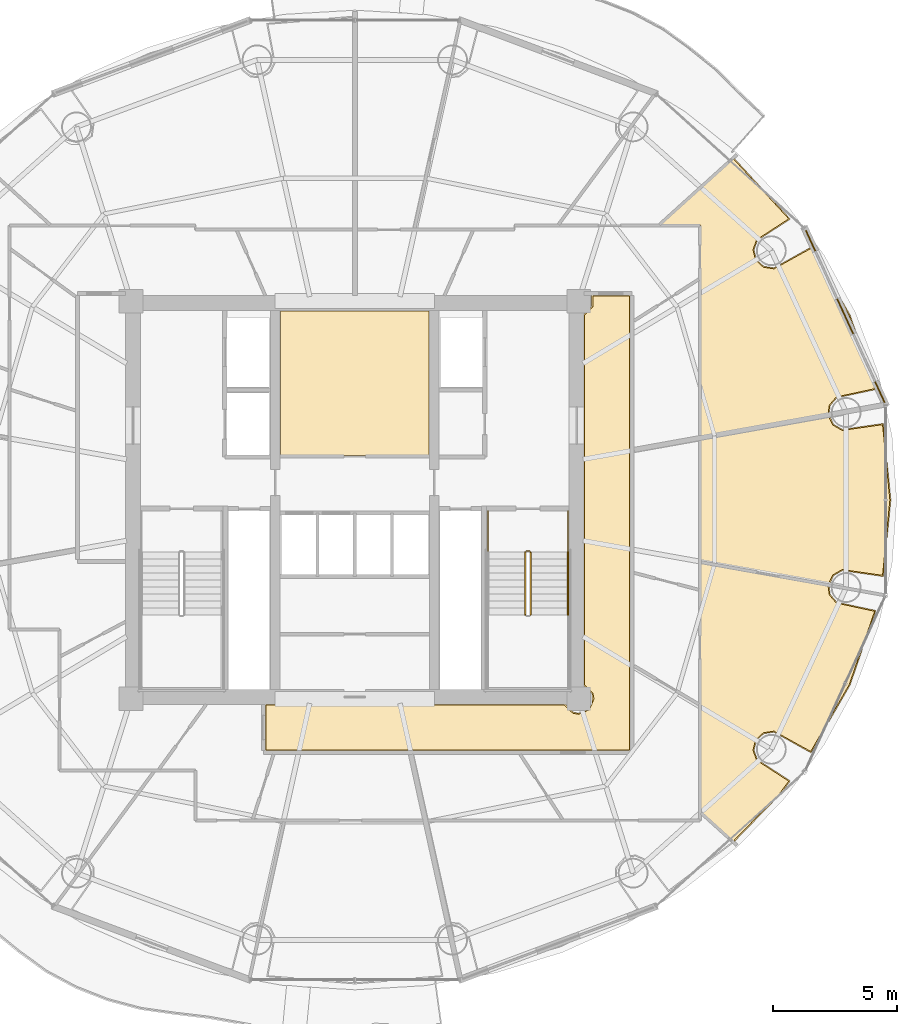
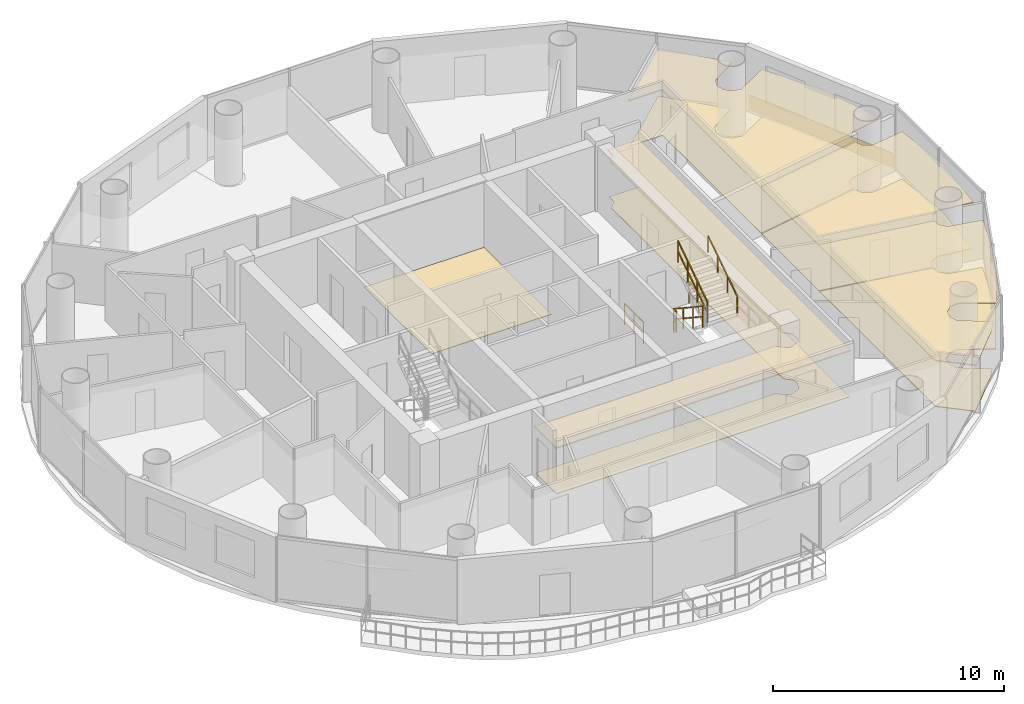
# One storey, part 26 of 27: 10 coverings, 6 railings.
"""IFC4 building model written with IfcOpenShell, lengths in metres."""

from ifc_helpers import new_model, si_unit, direction, frame, origin, origin_2d, place, context, subcontext, project, spatial, polyline, rectangle, outline, extrude, source, transform, mapped, material, layer, layer_set, type_object, element, save


model = new_model("IFC4")

# Units and contexts
model_context = context("Model", 3, precision=1e-05, world=origin(), true_north=direction((-0.2419218956, 0.970295726276)))
body_context = subcontext(model_context, "Body", "Model", "MODEL_VIEW")
ifc_project = project(units=[si_unit("LENGTHUNIT", "METRE"), si_unit("AREAUNIT", "SQUARE_METRE"), si_unit("VOLUMEUNIT", "CUBIC_METRE"), si_unit("PLANEANGLEUNIT", "RADIAN"), si_unit("MASSUNIT", "GRAM", prefix="KILO")], contexts=[model_context])

# Site, building, storey
site_placement = place(None, origin())
site = spatial("IfcSite", under=ifc_project, at=site_placement, CompositionType="ELEMENT")
building_placement = place(site_placement, origin())
building = spatial("IfcBuilding", under=site, at=building_placement, Name="Cobrevalo Terracotta Tower", CompositionType="ELEMENT")
storey_placement = place(building_placement, frame((0.0, 0.0, 191.199951171875)))
storey = spatial("IfcBuildingStorey", under=building, at=storey_placement, Name="L50", CompositionType="ELEMENT", Elevation=191.199951171875)

# Coverings
ifc_material_1 = material(Name="Engineered Brazilian hardwood flooring", Category="wood")
ifc_layer_1 = layer(ifc_material_1, 0.028076171875)
ifc_layer_set_1 = layer_set([ifc_layer_1], Name="Engineered Brazilian hardwood flooring")
covering_type_1 = type_object("IfcCoveringType", Name="Engineered Hardwood Suite Flooring 28", PredefinedType="FLOORING", material=ifc_layer_set_1)
covering_1_placement = place(storey_placement, origin())
element("IfcCovering", 1, at=covering_1_placement, inside=storey, type_object=covering_type_1, Name="Flat L50A Living and Dining Room floor finish", PredefinedType="FLOORING", context=body_context, shape_type="SweptSolid", body=[
    extrude(outline(polyline([(53.220947265625, 40.52783203125), (55.453125, 38.10888671875), (54.159912109375, 37.269287109375), (54.014892578125, 36.86474609375), (54.119140625, 36.447998046875), (54.437255859375, 36.1591796875), (54.8623046875, 36.095947265625), (56.337890625, 36.91357421875), (57.882080078125, 34.23095703125), (58.90771484375, 31.277099609375), (57.364013671875, 30.94482421875), (57.0849609375, 30.6181640625), (57.0302734375, 30.240966796875), (51.905029296875, 29.31982421875), (51.905029296875, 37.85498046875), (50.26318359375, 37.85498046875), (53.220947265625, 40.52783203125)])), origin(), (0.0, 0.0, 1.0), 0.030029296875),
])
covering_2_placement = place(storey_placement, origin())
element("IfcCovering", 2, at=covering_2_placement, inside=storey, type_object=covering_type_1, Name="Flat L50D Master Bedroom floor finish", PredefinedType="FLOORING", context=body_context, shape_type="SweptSolid", body=[
    extrude(outline(polyline([(51.905029296875, 14.261474609375), (51.905029296875, 24.2802734375), (57.0302734375, 23.35888671875), (57.0849609375, 22.981689453125), (57.364013671875, 22.655029296875), (58.90771484375, 22.322998046875), (57.882080078125, 19.368896484375), (56.337890625, 16.6865234375), (54.8623046875, 17.504150390625), (54.437255859375, 17.44091796875), (54.119140625, 17.152099609375), (54.014892578125, 16.735107421875), (54.159912109375, 16.330810546875), (55.453125, 15.4912109375), (55.073486328125, 14.978759765625), (53.220947265625, 13.072265625), (51.905029296875, 14.261474609375)])), origin(), (0.0, 0.0, 1.0), 0.030029296875),
])
covering_3_placement = place(storey_placement, origin())
element("IfcCovering", 3, at=covering_3_placement, inside=storey, type_object=covering_type_1, Name="Flat L50D Principal Guest Bedroom floor finish", PredefinedType="FLOORING", context=body_context, shape_type="SweptSolid", body=[
    extrude(outline(polyline([(57.03662109375, 30.20166015625), (57.229248046875, 29.80859375), (57.60400390625, 29.5986328125), (59.2265625, 29.83056640625), (59.52001953125, 26.800048828125), (59.2265625, 23.76953125), (57.60400390625, 24.00146484375), (57.229248046875, 23.791259765625), (57.03662109375, 23.3984375), (51.905029296875, 24.32080078125), (51.905029296875, 29.279052734375), (57.03662109375, 30.20166015625)])), origin(), (0.0, 0.0, 1.0), 0.030029296875),
])
ifc_material_2 = material(Name="Honed terracotta and granite tile", Category="masonry")
ifc_layer_2 = layer(ifc_material_2, 0.034912109375)
ifc_layer_set_2 = layer_set([ifc_layer_2], Name="Honed terracotta and granite tile")
covering_type_2 = type_object("IfcCoveringType", Name="Honed Terracotta & Granite Interior Flooring 35", PredefinedType="FLOORING", material=ifc_layer_set_2)
covering_4_placement = place(storey_placement, origin())
element("IfcCovering", 4, at=covering_4_placement, inside=storey, type_object=covering_type_2, Name="Floor Electrical Switchroom floor finish", PredefinedType="FLOORING", context=body_context, shape_type="SweptSolid", body=[
    extrude(outline(polyline([(35.010009765625, 34.405029296875), (40.989990234375, 34.405029296875), (40.989990234375, 28.580078125), (35.010009765625, 28.580078125), (35.010009765625, 34.405029296875)])), origin(), (0.0, 0.0, 1.0), 0.030029296875),
])
covering_5_placement = place(storey_placement, origin())
element("IfcCovering", 5, at=covering_5_placement, inside=storey, type_object=covering_type_2, Name="L50 Residential Floor Corridor 1 floor finish", PredefinedType="FLOORING", context=body_context, shape_type="SweptSolid", body=[
    extrude(outline(polyline([(34.419921875, 18.554931640625), (46.431884765625, 18.554931640625), (46.7626953125, 18.226806640625), (47.0, 18.1796875), (47.438720703125, 18.361328125), (47.620361328125, 18.800048828125), (47.5732421875, 19.037353515625), (47.2451171875, 19.3681640625), (47.2451171875, 34.23193359375), (47.5732421875, 34.5625), (47.57958984375, 35.0048828125), (49.054931640625, 35.0048828125), (49.054931640625, 16.7451171875), (34.419921875, 16.7451171875), (34.419921875, 18.554931640625)])), origin(), (0.0, 0.0, 1.0), 0.030029296875),
])
ifc_material_3 = material(Name="Acoustic perforated gypsum ceiling", Category="gypsum")
ifc_layer_3 = layer(ifc_material_3, 0.050048828125)
ifc_layer_set_3 = layer_set([ifc_layer_3], Name="Acoustic perforated gypsum ceiling")
covering_type_3 = type_object("IfcCoveringType", Name="Perforated Acoustic Gypsum Ceiling 50", PredefinedType="CEILING", material=ifc_layer_set_3)
covering_6_placement = place(storey_placement, frame((0.0, 0.0, 2.445068359375)))
element("IfcCovering", 6, at=covering_6_placement, inside=storey, type_object=covering_type_3, Name="L50 Residential Floor Corridor 1 acoustic ceiling", PredefinedType="CEILING", context=body_context, shape_type="SweptSolid", body=[
    extrude(outline(polyline([(34.375, 18.60009765625), (46.4560546875, 18.60009765625), (46.780029296875, 18.269287109375), (47.0, 18.2255859375), (47.40625, 18.393798828125), (47.53076171875, 18.580078125), (47.53076171875, 19.019775390625), (47.199951171875, 19.343994140625), (47.199951171875, 34.255859375), (47.53076171875, 34.580078125), (47.524658203125, 35.050048828125), (49.10009765625, 35.050048828125), (49.10009765625, 16.699951171875), (34.375, 16.699951171875), (34.375, 18.60009765625)])), origin(), (0.0, 0.0, 1.0), 0.050048828125),
])
covering_7_placement = place(storey_placement, frame((0.0, 0.0, 2.445068359375)))
element("IfcCovering", 7, at=covering_7_placement, inside=storey, type_object=covering_type_3, Name="Flat L50A Living and Dining Room acoustic ceiling", PredefinedType="CEILING", context=body_context, shape_type="SweptSolid", body=[
    extrude(outline(polyline([(53.22314453125, 40.59033203125), (55.518798828125, 38.095703125), (54.1962890625, 37.242431640625), (54.06005859375, 36.862548828125), (54.157958984375, 36.47119140625), (54.45654296875, 36.199951171875), (54.855712890625, 36.140625), (56.349853515625, 36.97314453125), (57.923095703125, 34.249755859375), (58.961669921875, 31.240966796875), (57.388427734375, 30.90673828125), (57.126220703125, 30.60009765625), (57.078369140625, 30.203857421875), (51.860107421875, 29.265869140625), (51.860107421875, 37.81005859375), (50.146484375, 37.81005859375), (53.22314453125, 40.59033203125)])), origin(), (0.0, 0.0, 1.0), 0.050048828125),
])
covering_8_placement = place(storey_placement, frame((0.0, 0.0, 2.445068359375)))
element("IfcCovering", 8, at=covering_8_placement, inside=storey, type_object=covering_type_3, Name="Flat L50D Master Bedroom acoustic ceiling", PredefinedType="CEILING", context=body_context, shape_type="SweptSolid", body=[
    extrude(outline(polyline([(51.860107421875, 14.241455078125), (51.860107421875, 24.333984375), (57.078369140625, 23.39599609375), (57.126220703125, 23.0), (57.388427734375, 22.693359375), (58.961669921875, 22.359130859375), (57.923095703125, 19.35009765625), (56.349853515625, 16.626953125), (54.855712890625, 17.45947265625), (54.45654296875, 17.39990234375), (54.157958984375, 17.12890625), (54.06005859375, 16.737548828125), (54.1962890625, 16.357666015625), (55.518798828125, 15.50439453125), (55.10791015625, 14.949462890625), (53.22314453125, 13.009765625), (51.860107421875, 14.241455078125)])), origin(), (0.0, 0.0, 1.0), 0.050048828125),
])
covering_9_placement = place(storey_placement, frame((0.0, 0.0, 2.445068359375)))
element("IfcCovering", 9, at=covering_9_placement, inside=storey, type_object=covering_type_3, Name="Flat L50D Principal Guest Bedroom acoustic ceiling", PredefinedType="CEILING", context=body_context, shape_type="SweptSolid", body=[
    extrude(outline(polyline([(57.0703125, 30.25341796875), (57.26171875, 29.83984375), (57.613525390625, 29.642578125), (59.26123046875, 29.88232421875), (59.565185546875, 26.800048828125), (59.26123046875, 23.717529296875), (57.613525390625, 23.957275390625), (57.26171875, 23.760009765625), (57.0703125, 23.3466796875), (51.860107421875, 24.283203125), (51.860107421875, 29.316650390625), (57.0703125, 30.25341796875)])), origin(), (0.0, 0.0, 1.0), 0.050048828125),
])

# Railings
ifc_material_4 = material(Name="Brushed stainless steel", Category="steel")
railing_type_1 = type_object("IfcRailingType", Name="Stainless Steel Stair Handrail 900", PredefinedType="HANDRAIL", material=ifc_material_4)
railing_1_placement = place(storey_placement, frame((46.574951171875, 22.179931640625, 2.03515625)))
element("IfcRailing", 10, at=railing_1_placement, inside=storey, type_object=railing_type_1, Name="L50 ST-2 stair handrail 2", PredefinedType="HANDRAIL", context=body_context, shape_type="SweptSolid", body=[
    extrude(rectangle(XDim=0.048095703125, YDim=0.048095703125, at=origin_2d()), frame((0.0, 0.0, 0.8759765625), z_axis=(0.0, 0.83436851402, 0.551207023552), x_axis=(-1.0, 0.0, 0.0)), (0.0, 0.0, 1.0), 3.020263671875),
    extrude(rectangle(XDim=0.0419921875, YDim=0.0419921875, at=origin_2d()), origin(), (0.0, 0.0, 1.0), 0.851806640625),
    extrude(rectangle(XDim=0.0419921875, YDim=0.0419921875, at=origin_2d()), frame((0.0, 0.840087890625, 0.554931640625)), (0.0, 0.0, 1.0), 0.851806640625),
    extrude(rectangle(XDim=0.0419921875, YDim=0.0419921875, at=origin_2d()), frame((0.0, 1.679931640625, 1.10986328125)), (0.0, 0.0, 1.0), 0.851806640625),
    extrude(rectangle(XDim=0.0419921875, YDim=0.0419921875, at=origin_2d()), frame((0.0, 2.52001953125, 1.664794921875)), (0.0, 0.0, 1.0), 0.851806640625),
])
ifc_material_5 = material(Name="Painted galvanized steel", Category="steel")
railing_type_2 = type_object("IfcRailingType", Name="Stair Well Guard Balustrade 1150", PredefinedType="GUARDRAIL", material=ifc_material_5)
railing_2_placement = place(storey_placement, frame((44.85498046875, 24.699951171875, 0.18505859375)))
element("IfcRailing", 11, at=railing_2_placement, inside=storey, type_object=railing_type_2, Name="L50 ST-2 stair guard 1", PredefinedType="GUARDRAIL", context=body_context, shape_type="SweptSolid", body=[
    extrude(rectangle(XDim=0.048095703125, YDim=0.048095703125, at=origin_2d()), frame((0.0, 0.0, 1.1259765625), z_axis=(0.0, -0.834331337432, 0.55126329406), x_axis=(1.0, 0.0, 0.0)), (0.0, 0.0, 1.0), 3.0205078125),
    extrude(rectangle(XDim=0.048095703125, YDim=0.048095703125, at=origin_2d()), frame((0.0, 0.0, 0.574951171875), z_axis=(0.0, -0.834331337432, 0.55126329406), x_axis=(1.0, 0.0, 0.0)), (0.0, 0.0, 1.0), 3.0205078125),
    extrude(rectangle(XDim=0.0419921875, YDim=0.0419921875, at=origin_2d()), origin(), (0.0, 0.0, 1.0), 1.101806640625),
    extrude(rectangle(XDim=0.0419921875, YDim=0.0419921875, at=origin_2d()), frame((0.0, -0.840087890625, 0.554931640625)), (0.0, 0.0, 1.0), 1.101806640625),
    extrude(rectangle(XDim=0.0419921875, YDim=0.0419921875, at=origin_2d()), frame((0.0, -1.679931640625, 1.110107421875)), (0.0, 0.0, 1.0), 1.101806640625),
    extrude(rectangle(XDim=0.0419921875, YDim=0.0419921875, at=origin_2d()), frame((0.0, -2.52001953125, 1.6650390625)), (0.0, 0.0, 1.0), 1.101806640625),
])
railing_3_placement = place(storey_placement, frame((45.074951171875, 22.179931640625, 2.03515625)))
element("IfcRailing", 12, at=railing_3_placement, inside=storey, type_object=railing_type_2, Name="L50 ST-2 stair guard 6", PredefinedType="GUARDRAIL", context=body_context, shape_type="SweptSolid", body=[
    extrude(rectangle(XDim=0.048095703125, YDim=0.048095703125, at=origin_2d()), frame((0.0, 0.0, 1.1259765625), z_axis=(0.0, 0.83436851402, 0.551207023552), x_axis=(-1.0, 0.0, 0.0)), (0.0, 0.0, 1.0), 3.020263671875),
    extrude(rectangle(XDim=0.048095703125, YDim=0.048095703125, at=origin_2d()), frame((0.0, 0.0, 0.574951171875), z_axis=(0.0, 0.83436851402, 0.551207023552), x_axis=(-1.0, 0.0, 0.0)), (0.0, 0.0, 1.0), 3.020263671875),
    extrude(rectangle(XDim=0.0419921875, YDim=0.0419921875, at=origin_2d()), origin(), (0.0, 0.0, 1.0), 1.101806640625),
    extrude(rectangle(XDim=0.0419921875, YDim=0.0419921875, at=origin_2d()), frame((0.0, 0.840087890625, 0.554931640625)), (0.0, 0.0, 1.0), 1.101806640625),
    extrude(rectangle(XDim=0.0419921875, YDim=0.0419921875, at=origin_2d()), frame((0.0, 1.679931640625, 1.10986328125)), (0.0, 0.0, 1.0), 1.101806640625),
    extrude(rectangle(XDim=0.0419921875, YDim=0.0419921875, at=origin_2d()), frame((0.0, 2.52001953125, 1.664794921875)), (0.0, 0.0, 1.0), 1.101806640625),
])
railing_4_placement = place(storey_placement, frame((44.905029296875, 24.75, 0.0)))
element("IfcRailing", 13, at=railing_4_placement, inside=storey, type_object=railing_type_2, Name="L50 ST-2 stair guard 7", PredefinedType="GUARDRAIL", context=body_context, shape_type="SweptSolid", body=[
    extrude(rectangle(XDim=0.048095703125, YDim=0.048095703125, at=origin_2d()), frame((0.0, 0.0, 1.1259765625), z_axis=(1.0, 0.0, 0.0), x_axis=(0.0, 1.0, 0.0)), (0.0, 0.0, 1.0), 0.119873046875),
    extrude(rectangle(XDim=0.048095703125, YDim=0.048095703125, at=origin_2d()), frame((0.0, 0.0, 0.574951171875), z_axis=(1.0, 0.0, 0.0), x_axis=(0.0, 1.0, 0.0)), (0.0, 0.0, 1.0), 0.119873046875),
    extrude(rectangle(XDim=0.0419921875, YDim=0.0419921875, at=origin_2d()), origin(), (0.0, 0.0, 1.0), 1.101806640625),
    extrude(rectangle(XDim=0.0419921875, YDim=0.0419921875, at=origin_2d()), frame((0.119873046875, 0.0, 0.0)), (0.0, 0.0, 1.0), 1.101806640625),
])
for number, where, name in (
    (14, (43.35498046875, 26.35009765625, 0.0), "L50 ST-2 stair guard 8"),
    (15, (46.574951171875, 26.35009765625, 0.0), "L50 ST-2 stair guard 9"),
):
    element("IfcRailing", number, at=place(storey_placement, frame(where)), inside=storey, type_object=railing_type_2, Name=name, PredefinedType="GUARDRAIL", context=body_context, shape_type="SweptSolid", body=[
        extrude(rectangle(XDim=0.048095703125, YDim=0.048095703125, at=origin_2d()), frame((0.0, 0.0, 1.1259765625), z_axis=(0.0, -1.0, 0.0), x_axis=(1.0, 0.0, 0.0)), (0.0, 0.0, 1.0), 1.650146484375),
        extrude(rectangle(XDim=0.048095703125, YDim=0.048095703125, at=origin_2d()), frame((0.0, 0.0, 0.574951171875), z_axis=(0.0, -1.0, 0.0), x_axis=(1.0, 0.0, 0.0)), (0.0, 0.0, 1.0), 1.650146484375),
        extrude(rectangle(XDim=0.0419921875, YDim=0.0419921875, at=origin_2d()), origin(), (0.0, 0.0, 1.0), 1.101806640625),
        extrude(rectangle(XDim=0.0419921875, YDim=0.0419921875, at=origin_2d()), frame((0.0, -0.8251953125, 0.0)), (0.0, 0.0, 1.0), 1.101806640625),
        extrude(rectangle(XDim=0.0419921875, YDim=0.0419921875, at=origin_2d()), frame((0.0, -1.650146484375, 0.0)), (0.0, 0.0, 1.0), 1.101806640625),
    ])

# Covering
ifc_material_6 = material(Name="Glazed terracotta facade cladding tile", Category="masonry")
ifc_layer_4 = layer(ifc_material_6, 0.044921875)
ifc_layer_set_4 = layer_set([ifc_layer_4], Name="Glazed terracotta facade cladding tile")
covering_type_4 = type_object("IfcCoveringType", Name="Architectural terracotta rainscreen spandrel cladding 45 mm", PredefinedType="CLADDING", material=ifc_layer_set_4)
shared_shape = source(origin(), body_context, "Body", "SweptSolid", [
    extrude(rectangle(XDim=7.60009765625, YDim=0.044921875, at=origin_2d()), origin(), (0.0, 0.0, 1.0), 0.760009765625),
])
covering_10_placement = place(storey_placement, frame((57.726318359375, 34.182861328125, 0.0400390625), z_axis=(0.0, 0.0, 1.0), x_axis=(-0.416731425355, 0.909029657999, 0.0)))
element("IfcCovering", 16, at=covering_10_placement, inside=storey, type_object=covering_type_4, Name="L50 terracotta spandrel cladding S01", PredefinedType="CLADDING", context=body_context, shape_type="MappedRepresentation", body=[
    mapped(shared_shape, transform((0.0, 0.0, 0.0), scale=1.0)),
])

save(model, "model.ifc")
